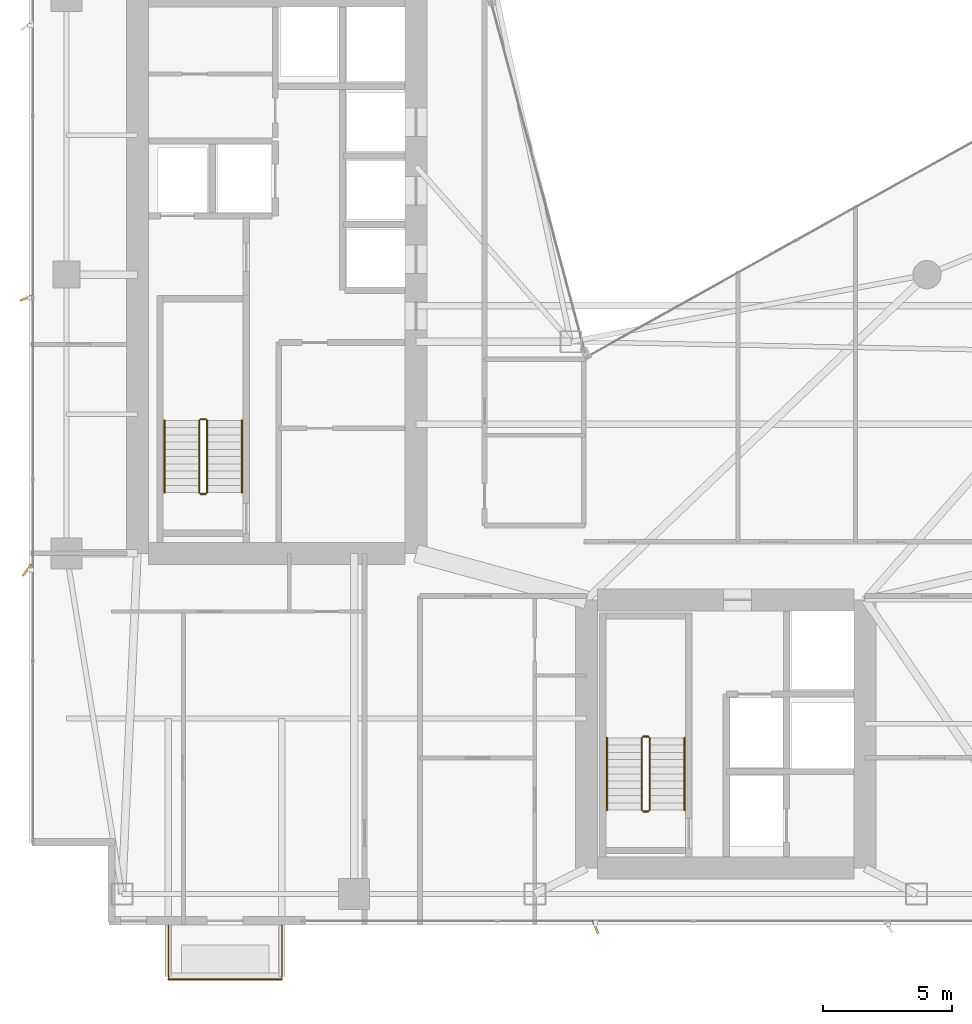
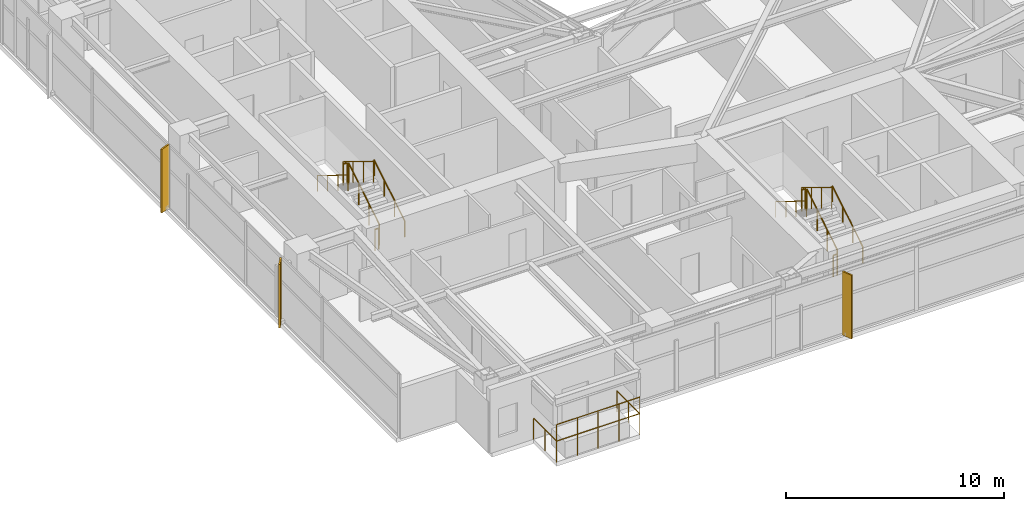
# One storey, part 27 of 28: 14 railings, 3 shading devices.
"""IFC4 building model written with IfcOpenShell, lengths in metres."""

import ifcopenshell
import ifcopenshell.guid

model = None  # the IFC model being written
_history = None  # IfcOwnerHistory: only IFC2X3 demands one
_inside = {}  # id of a spatial element -> (the spatial element, [elements in it])
_under = {}  # id of a project, library or spatial element -> (it, [spatial elements below it])
_declared = {}  # id of a project -> (the project, [libraries it declares])
_typed = {}  # id of a type object -> (the type object, [elements of that type])
_made_of = {}  # id of a material, layer set ... -> (it, [elements and type objects made of it])


def new_model(schema):
    """Start an empty IFC model of exactly this schema.

    Asked for "IFC4X3", IfcOpenShell would pick the latest addendum, in which some entities
    have other attributes; the version numbers below select the first issue.
    IFC2X3 requires an IfcOwnerHistory on every rooted entity: one is made here for all.
    """
    global model, _history
    if schema == "IFC4X3":
        model = ifcopenshell.file(schema_version=(4, 3, 0, 0))
    else:
        model = ifcopenshell.file(schema=schema)
    _inside.clear()
    _under.clear()
    _declared.clear()
    _typed.clear()
    _made_of.clear()
    _history = None
    if model.schema == "IFC2X3":
        org = make("IfcOrganization", Name="unknown")
        user = make(
            "IfcPersonAndOrganization",
            ThePerson=make("IfcPerson", FamilyName="unknown"),
            TheOrganization=org,
        )
        app = make(
            "IfcApplication",
            ApplicationDeveloper=org,
            Version="unknown",
            ApplicationFullName="unknown",
            ApplicationIdentifier="unknown",
        )
        _history = make(
            "IfcOwnerHistory",
            OwningUser=user,
            OwningApplication=app,
            ChangeAction="ADDED",
            CreationDate=0,
        )
    return model


def make(cls, **values):
    """One entity of the class cls with the attributes given. An attribute that is None is left unset."""
    return model.create_entity(
        cls, **{name: value for name, value in values.items() if value is not None}
    )


def rooted(cls, **values):
    """An entity with a GlobalId (a new one), such as an element, a storey or a relation."""
    return make(cls, GlobalId=ifcopenshell.guid.new(), OwnerHistory=_history, **values)


def si_unit(unit_type, name, prefix=None):
    """IfcSIUnit, for example si_unit("LENGTHUNIT", "METRE", prefix="MILLI")."""
    return make("IfcSIUnit", UnitType=unit_type, Prefix=prefix, Name=name)


def assignment(units):
    """IfcUnitAssignment: the units of a project."""
    return None if units is None else make("IfcUnitAssignment", Units=units)


def point(xyz):
    """IfcCartesianPoint."""
    return None if xyz is None else make("IfcCartesianPoint", Coordinates=xyz)


def direction(xyz):
    """IfcDirection."""
    return None if xyz is None else make("IfcDirection", DirectionRatios=xyz)


def frame(location, z_axis=None, x_axis=None):
    """IfcAxis2Placement3D, a coordinate frame: its origin and axes. An axis left out is left unset."""
    return make(
        "IfcAxis2Placement3D",
        Location=point(location),
        Axis=direction(z_axis),
        RefDirection=direction(x_axis),
    )


def frame_2d(location, x_axis=None):
    """IfcAxis2Placement2D, a coordinate frame in the plane: its origin and x axis."""
    return make(
        "IfcAxis2Placement2D", Location=point(location), RefDirection=direction(x_axis)
    )


def origin():
    """The frame at (0, 0, 0) with its axes left unset."""
    return frame((0.0, 0.0, 0.0))


def origin_2d():
    """The frame at (0, 0) in the plane with its x axis left unset."""
    return frame_2d((0.0, 0.0))


def place(relative_to, where):
    """IfcLocalPlacement: puts the frame where relative to a parent placement (None: the world)."""
    return make(
        "IfcLocalPlacement", PlacementRelTo=relative_to, RelativePlacement=where
    )


def context(
    kind, dimensions, precision=None, world=None, true_north=None, identifier=None
):
    """IfcGeometricRepresentationContext, for example the 3D "Model" context."""
    return make(
        "IfcGeometricRepresentationContext",
        ContextIdentifier=identifier,
        ContextType=kind,
        CoordinateSpaceDimension=dimensions,
        Precision=precision,
        WorldCoordinateSystem=world,
        TrueNorth=true_north,
    )


def subcontext(parent, identifier, kind, view, scale=None):
    """IfcGeometricRepresentationSubContext, for example "Body" below "Model"."""
    return make(
        "IfcGeometricRepresentationSubContext",
        ContextIdentifier=identifier,
        ContextType=kind,
        ParentContext=parent,
        TargetScale=scale,
        TargetView=view,
    )


def project(units=None, contexts=None):
    """IfcProject with its units and contexts."""
    return rooted(
        "IfcProject",
        Name="project",
        RepresentationContexts=contexts,
        UnitsInContext=assignment(units),
    )


def spatial(cls, under=None, at=None, **own):
    """A site, building, storey or space (cls), placed at a placement, below another one or the project."""
    s = rooted(cls, ObjectPlacement=at, **own)
    if under is not None:
        _under.setdefault(under.id(), (under, []))[1].append(s)
    return s


def profile(cls, at=None, kind="AREA", **sizes):
    """A parametric profile (cls). Its sizes go by their IFC names, for example OverallWidth=200.0."""
    return make(cls, ProfileType=kind, Position=at, **sizes)


def rectangle(**sizes):
    """IfcRectangleProfileDef."""
    return profile("IfcRectangleProfileDef", **sizes)


def circle(**sizes):
    """IfcCircleProfileDef."""
    return profile("IfcCircleProfileDef", **sizes)


def extrude(swept, where, along, depth):
    """IfcExtrudedAreaSolid: the profile swept, set in the frame where, extruded along a direction by depth."""
    return make(
        "IfcExtrudedAreaSolid",
        SweptArea=swept,
        Position=where,
        ExtrudedDirection=direction(along),
        Depth=depth,
    )


def shape(context_of_items, identifier, shape_type, items):
    """IfcShapeRepresentation: the items that make up one representation, for example the "Body"."""
    return make(
        "IfcShapeRepresentation",
        ContextOfItems=context_of_items,
        RepresentationIdentifier=identifier,
        RepresentationType=shape_type,
        Items=items,
    )


def material(Name=None, Category=None):
    """IfcMaterial."""
    return make("IfcMaterial", Name=Name, Category=Category)


def made_of(thing, what):
    """Note that an element or type object is made of a material, layer set ...; save() writes the relation."""
    if what is not None:
        _made_of.setdefault(what.id(), (what, []))[1].append(thing)
    return thing


def type_object(cls, material=None, **own):
    """A type object (cls), such as IfcWallType, which elements share."""
    return made_of(rooted(cls, **own), material)


def element(
    cls,
    number,
    at=None,
    inside=None,
    cuts=None,
    type_object=None,
    material=None,
    context=None,
    identifier="Body",
    shape_type=None,
    held_by="IfcProductDefinitionShape",
    body=None,
    shapes=None,
    **own,
):
    """One element of the class cls, such as IfcWall. Its Tag is "e" and its number.

    at: its placement. inside: the storey or other place that contains it. cuts: it is an
    opening in that element (IfcRelVoidsElement). A single representation is given by context,
    identifier, shape_type and body (its items); several are given by shapes. held_by: the class
    of the entity that holds the representations. save() writes the other relations.
    """
    e = rooted(cls, Tag="e%d" % number, ObjectPlacement=at, **own)
    if body is not None:
        shapes = [shape(context, identifier, shape_type, body)]
    if shapes is not None:
        e.Representation = make(held_by, Representations=shapes)
    if inside is not None:
        _inside.setdefault(inside.id(), (inside, []))[1].append(e)
    if cuts is not None:
        rooted(
            "IfcRelVoidsElement", RelatingBuildingElement=cuts, RelatedOpeningElement=e
        )
    if type_object is not None:
        _typed.setdefault(type_object.id(), (type_object, []))[1].append(e)
    return made_of(e, material)


def aggregate(whole, parts):
    """IfcRelAggregates: a whole, such as a stair, and the parts it consists of."""
    return rooted("IfcRelAggregates", RelatingObject=whole, RelatedObjects=parts)


def save(model, path):
    """Write the relations noted so far, then the file.

    IfcRelAggregates (storeys below a building ...), IfcRelContainedInSpatialStructure (elements
    in a storey), IfcRelDefinesByType, IfcRelAssociatesMaterial and IfcRelDeclares: one each for
    every whole, place, type object, material and project.
    """
    for whole, parts in _under.values():
        aggregate(whole, parts)
    for where, things in _inside.values():
        rooted(
            "IfcRelContainedInSpatialStructure",
            RelatedElements=things,
            RelatingStructure=where,
        )
    for kind, things in _typed.values():
        rooted("IfcRelDefinesByType", RelatedObjects=things, RelatingType=kind)
    for what, things in _made_of.values():
        rooted("IfcRelAssociatesMaterial", RelatedObjects=things, RelatingMaterial=what)
    for by, libraries in _declared.values():
        rooted("IfcRelDeclares", RelatingContext=by, RelatedDefinitions=libraries)
    model.write(path)


model = new_model("IFC4")

# Units and contexts
model_context = context("Model", 3, precision=1e-05, world=origin(), true_north=direction((0.0, 1.0)))
body_context = subcontext(model_context, "Body", "Model", "MODEL_VIEW")
ifc_project = project(units=[si_unit("LENGTHUNIT", "METRE"), si_unit("AREAUNIT", "SQUARE_METRE"), si_unit("VOLUMEUNIT", "CUBIC_METRE"), si_unit("PLANEANGLEUNIT", "RADIAN"), si_unit("MASSUNIT", "GRAM", prefix="KILO")], contexts=[model_context])

# Site, building, storey
site_placement = place(None, origin())
site = spatial("IfcSite", under=ifc_project, at=site_placement, CompositionType="ELEMENT")
building_placement = place(site_placement, origin())
building = spatial("IfcBuilding", under=site, at=building_placement, Name="Calvorn Quay Hotel", CompositionType="ELEMENT")
storey_placement = place(building_placement, frame((0.0, 0.0, 112.60009765625)))
storey = spatial("IfcBuildingStorey", under=building, at=storey_placement, Name="L27", CompositionType="ELEMENT", Elevation=112.60009765625)

# Railings
ifc_material_1 = material(Name="Pale Anodised Aluminium and Laminated Glass", Category="aluminium")
railing_type_1 = type_object("IfcRailingType", Name="RLG-BALUSTRADE-1200", PredefinedType="BALUSTRADE", material=ifc_material_1)
railing_1_placement = place(storey_placement, frame((5.39990234375, 2.389892578125, 0.0)))
element("IfcRailing", 1, at=railing_1_placement, inside=storey, type_object=railing_type_1, Name="Tree Balcony Perimeter Balustrade L27-BALC-S", PredefinedType="BALUSTRADE", context=body_context, shape_type="SweptSolid", body=[
    extrude(circle(Radius=0.02392578125, at=origin_2d()), frame((0.0, 0.0, 1.17578125), z_axis=(0.0, -1.0, 0.0), x_axis=(1.0, 0.0, 0.0)), (0.0, 0.0, 1.0), 2.099853515625),
    extrude(circle(Radius=0.02392578125, at=origin_2d()), frame((0.0, -2.099853515625, 1.17578125), z_axis=(1.0, 0.0, 0.0), x_axis=(0.0, 1.0, 0.0)), (0.0, 0.0, 1.0), 4.400146484375),
    extrude(circle(Radius=0.02392578125, at=origin_2d()), frame((4.400146484375, -2.099853515625, 1.17578125), z_axis=(0.0, 1.0, 0.0), x_axis=(-1.0, 0.0, 0.0)), (0.0, 0.0, 1.0), 2.099853515625),
    extrude(circle(Radius=0.02099609375, at=origin_2d()), origin(), (0.0, 0.0, 1.0), 1.15185546875),
    extrude(circle(Radius=0.02099609375, at=origin_2d()), frame((0.0, -1.0498046875, 0.0)), (0.0, 0.0, 1.0), 1.15185546875),
    extrude(circle(Radius=0.02099609375, at=origin_2d()), frame((0.0, -2.099853515625, 0.0)), (0.0, 0.0, 1.0), 1.15185546875),
    extrude(circle(Radius=0.02099609375, at=origin_2d()), frame((1.10009765625, -2.099853515625, 0.0)), (0.0, 0.0, 1.0), 1.15185546875),
    extrude(circle(Radius=0.02099609375, at=origin_2d()), frame((2.2001953125, -2.099853515625, 0.0)), (0.0, 0.0, 1.0), 1.15185546875),
    extrude(circle(Radius=0.02099609375, at=origin_2d()), frame((3.300048828125, -2.099853515625, 0.0)), (0.0, 0.0, 1.0), 1.15185546875),
    extrude(circle(Radius=0.02099609375, at=origin_2d()), frame((4.400146484375, -2.099853515625, 0.0)), (0.0, 0.0, 1.0), 1.15185546875),
    extrude(circle(Radius=0.02099609375, at=origin_2d()), frame((4.400146484375, -1.0498046875, 0.0)), (0.0, 0.0, 1.0), 1.15185546875),
    extrude(circle(Radius=0.02099609375, at=origin_2d()), frame((4.400146484375, 0.0, 0.0)), (0.0, 0.0, 1.0), 1.15185546875),
])
railing_2_placement = place(storey_placement, frame((5.39990234375, 0.2900390625, 0.89990234375)))
element("IfcRailing", 2, at=railing_2_placement, inside=storey, type_object=railing_type_1, Name="Planter Kerb High Safety Screen L27-BALC-S", PredefinedType="BALUSTRADE", context=body_context, shape_type="SweptSolid", body=[
    extrude(circle(Radius=0.02392578125, at=origin_2d()), frame((0.0, 0.0, 1.19580078125), z_axis=(1.0, 0.0, 0.0), x_axis=(0.0, 1.0, 0.0)), (0.0, 0.0, 1.0), 4.400146484375),
    extrude(circle(Radius=0.02099609375, at=origin_2d()), origin(), (0.0, 0.0, 1.0), 1.171875),
    extrude(circle(Radius=0.02099609375, at=origin_2d()), frame((1.10009765625, 0.0, 0.0)), (0.0, 0.0, 1.0), 1.171875),
    extrude(circle(Radius=0.02099609375, at=origin_2d()), frame((2.2001953125, 0.0, 0.0)), (0.0, 0.0, 1.0), 1.171875),
    extrude(circle(Radius=0.02099609375, at=origin_2d()), frame((3.300048828125, 0.0, 0.0)), (0.0, 0.0, 1.0), 1.171875),
    extrude(circle(Radius=0.02099609375, at=origin_2d()), frame((4.400146484375, 0.0, 0.0)), (0.0, 0.0, 1.0), 1.171875),
])
ifc_material_2 = material(Name="Brushed Stainless Steel Handrail", Category="steel")
railing_type_2 = type_object("IfcRailingType", Name="RLG-HANDRAIL-900", PredefinedType="HANDRAIL", material=ifc_material_2)
railing_3_placement = place(storey_placement, frame((8.25, 19.14990234375, 0.172607421875)))
element("IfcRailing", 3, at=railing_3_placement, inside=storey, type_object=railing_type_2, Name="L27 ST-W stair handrail 1", PredefinedType="HANDRAIL", context=body_context, shape_type="SweptSolid", body=[
    extrude(circle(Radius=0.02392578125, at=origin_2d()), frame((0.0, 0.0, 0.8759765625), z_axis=(0.0, 0.851089632645, 0.525020415988), x_axis=(-1.0, 0.0, 0.0)), (0.0, 0.0, 1.0), 3.2900390625),
    extrude(circle(Radius=0.02099609375, at=origin_2d()), origin(), (0.0, 0.0, 1.0), 0.851806640625),
    extrude(circle(Radius=0.02099609375, at=origin_2d()), frame((0.0, 0.933349609375, 0.57568359375)), (0.0, 0.0, 1.0), 0.851806640625),
    extrude(circle(Radius=0.02099609375, at=origin_2d()), frame((0.0, 1.86669921875, 1.151611328125)), (0.0, 0.0, 1.0), 0.851806640625),
    extrude(circle(Radius=0.02099609375, at=origin_2d()), frame((0.0, 2.800048828125, 1.727294921875)), (0.0, 0.0, 1.0), 0.851806640625),
])
railing_4_placement = place(storey_placement, frame((5.25, 21.949951171875, 2.072509765625)))
element("IfcRailing", 4, at=railing_4_placement, inside=storey, type_object=railing_type_2, Name="L27 ST-W stair handrail 2", PredefinedType="HANDRAIL", context=body_context, shape_type="SweptSolid", body=[
    extrude(circle(Radius=0.02392578125, at=origin_2d()), frame((0.0, 0.0, 0.8759765625), z_axis=(0.0, -0.851089632645, 0.525020415988), x_axis=(1.0, 0.0, 0.0)), (0.0, 0.0, 1.0), 3.2900390625),
    extrude(circle(Radius=0.02099609375, at=origin_2d()), origin(), (0.0, 0.0, 1.0), 0.851806640625),
    extrude(circle(Radius=0.02099609375, at=origin_2d()), frame((0.0, -0.933349609375, 0.57568359375)), (0.0, 0.0, 1.0), 0.851806640625),
    extrude(circle(Radius=0.02099609375, at=origin_2d()), frame((0.0, -1.86669921875, 1.151611328125)), (0.0, 0.0, 1.0), 0.851806640625),
    extrude(circle(Radius=0.02099609375, at=origin_2d()), frame((0.0, -2.800048828125, 1.727294921875)), (0.0, 0.0, 1.0), 0.851806640625),
])
railing_5_placement = place(storey_placement, frame((25.39990234375, 6.85009765625, 0.172607421875)))
element("IfcRailing", 5, at=railing_5_placement, inside=storey, type_object=railing_type_2, Name="L27 ST-E stair handrail 1", PredefinedType="HANDRAIL", context=body_context, shape_type="SweptSolid", body=[
    extrude(circle(Radius=0.02392578125, at=origin_2d()), frame((0.0, 0.0, 0.8759765625), z_axis=(0.0, 0.851069175582, 0.525053576669), x_axis=(-1.0, 0.0, 0.0)), (0.0, 0.0, 1.0), 3.289794921875),
    extrude(circle(Radius=0.02099609375, at=origin_2d()), origin(), (0.0, 0.0, 1.0), 0.851806640625),
    extrude(circle(Radius=0.02099609375, at=origin_2d()), frame((0.0, 0.933349609375, 0.57568359375)), (0.0, 0.0, 1.0), 0.851806640625),
    extrude(circle(Radius=0.02099609375, at=origin_2d()), frame((0.0, 1.866455078125, 1.151611328125)), (0.0, 0.0, 1.0), 0.851806640625),
    extrude(circle(Radius=0.02099609375, at=origin_2d()), frame((0.0, 2.7998046875, 1.727294921875)), (0.0, 0.0, 1.0), 0.851806640625),
])
railing_6_placement = place(storey_placement, frame((22.39990234375, 9.64990234375, 2.072509765625)))
element("IfcRailing", 6, at=railing_6_placement, inside=storey, type_object=railing_type_2, Name="L27 ST-E stair handrail 2", PredefinedType="HANDRAIL", context=body_context, shape_type="SweptSolid", body=[
    extrude(circle(Radius=0.02392578125, at=origin_2d()), frame((0.0, 0.0, 0.8759765625), z_axis=(0.0, -0.851069175582, 0.525053576669), x_axis=(1.0, 0.0, 0.0)), (0.0, 0.0, 1.0), 3.289794921875),
    extrude(circle(Radius=0.02099609375, at=origin_2d()), origin(), (0.0, 0.0, 1.0), 0.851806640625),
    extrude(circle(Radius=0.02099609375, at=origin_2d()), frame((0.0, -0.933349609375, 0.57568359375)), (0.0, 0.0, 1.0), 0.851806640625),
    extrude(circle(Radius=0.02099609375, at=origin_2d()), frame((0.0, -1.866455078125, 1.151611328125)), (0.0, 0.0, 1.0), 0.851806640625),
    extrude(circle(Radius=0.02099609375, at=origin_2d()), frame((0.0, -2.7998046875, 1.727294921875)), (0.0, 0.0, 1.0), 0.851806640625),
])
ifc_material_3 = material(Name="Painted Galvanised Steel Balustrade", Category="steel")
railing_type_3 = type_object("IfcRailingType", Name="RLG-STAIR-GUARD-1120", PredefinedType="GUARDRAIL", material=ifc_material_3)
railing_7_placement = place(storey_placement, frame((6.89990234375, 19.14990234375, 0.172607421875)))
element("IfcRailing", 7, at=railing_7_placement, inside=storey, type_object=railing_type_3, Name="L27 ST-W stair guard 1", PredefinedType="GUARDRAIL", context=body_context, shape_type="SweptSolid", body=[
    extrude(circle(Radius=0.02392578125, at=origin_2d()), frame((0.0, 0.0, 1.17578125), z_axis=(0.0, 0.851089632645, 0.525020415988), x_axis=(-1.0, 0.0, 0.0)), (0.0, 0.0, 1.0), 3.2900390625),
    extrude(circle(Radius=0.02099609375, at=origin_2d()), origin(), (0.0, 0.0, 1.0), 1.15185546875),
    extrude(circle(Radius=0.02099609375, at=origin_2d()), frame((0.0, 0.933349609375, 0.57568359375)), (0.0, 0.0, 1.0), 1.15185546875),
    extrude(circle(Radius=0.02099609375, at=origin_2d()), frame((0.0, 1.86669921875, 1.151611328125)), (0.0, 0.0, 1.0), 1.15185546875),
    extrude(circle(Radius=0.02099609375, at=origin_2d()), frame((0.0, 2.800048828125, 1.727294921875)), (0.0, 0.0, 1.0), 1.15185546875),
])
railing_8_placement = place(storey_placement, frame((6.85009765625, 22.0, 1.89990234375)))
element("IfcRailing", 8, at=railing_8_placement, inside=storey, type_object=railing_type_3, Name="L27 ST-W stair guard 2", PredefinedType="GUARDRAIL", context=body_context, shape_type="SweptSolid", body=[
    extrude(circle(Radius=0.02392578125, at=origin_2d()), frame((0.0, 0.0, 1.17578125), z_axis=(-1.0, 0.0, 0.0), x_axis=(0.0, -1.0, 0.0)), (0.0, 0.0, 1.0), 0.2001953125),
    extrude(circle(Radius=0.02099609375, at=origin_2d()), origin(), (0.0, 0.0, 1.0), 1.15185546875),
    extrude(circle(Radius=0.02099609375, at=origin_2d()), frame((-0.2001953125, 0.0, 0.0)), (0.0, 0.0, 1.0), 1.15185546875),
])
railing_9_placement = place(storey_placement, frame((6.60009765625, 21.949951171875, 2.072509765625)))
element("IfcRailing", 9, at=railing_9_placement, inside=storey, type_object=railing_type_3, Name="L27 ST-W stair guard 3", PredefinedType="GUARDRAIL", context=body_context, shape_type="SweptSolid", body=[
    extrude(circle(Radius=0.02392578125, at=origin_2d()), frame((0.0, 0.0, 1.17578125), z_axis=(0.0, -0.851089632645, 0.525020415988), x_axis=(1.0, 0.0, 0.0)), (0.0, 0.0, 1.0), 3.2900390625),
    extrude(circle(Radius=0.02099609375, at=origin_2d()), origin(), (0.0, 0.0, 1.0), 1.15185546875),
    extrude(circle(Radius=0.02099609375, at=origin_2d()), frame((0.0, -0.933349609375, 0.57568359375)), (0.0, 0.0, 1.0), 1.15185546875),
    extrude(circle(Radius=0.02099609375, at=origin_2d()), frame((0.0, -1.86669921875, 1.151611328125)), (0.0, 0.0, 1.0), 1.15185546875),
    extrude(circle(Radius=0.02099609375, at=origin_2d()), frame((0.0, -2.800048828125, 1.727294921875)), (0.0, 0.0, 1.0), 1.15185546875),
])
railing_10_placement = place(storey_placement, frame((6.85009765625, 19.10009765625, 0.0)))
element("IfcRailing", 10, at=railing_10_placement, inside=storey, type_object=railing_type_3, Name="L27 ST-W stair guard 4", PredefinedType="GUARDRAIL", context=body_context, shape_type="SweptSolid", body=[
    extrude(circle(Radius=0.02392578125, at=origin_2d()), frame((0.0, 0.0, 1.17578125), z_axis=(-1.0, 0.0, 0.0), x_axis=(0.0, -1.0, 0.0)), (0.0, 0.0, 1.0), 0.2001953125),
    extrude(circle(Radius=0.02099609375, at=origin_2d()), origin(), (0.0, 0.0, 1.0), 1.15185546875),
    extrude(circle(Radius=0.02099609375, at=origin_2d()), frame((-0.2001953125, 0.0, 0.0)), (0.0, 0.0, 1.0), 1.15185546875),
])
railing_11_placement = place(storey_placement, frame((24.050048828125, 6.85009765625, 0.172607421875)))
element("IfcRailing", 11, at=railing_11_placement, inside=storey, type_object=railing_type_3, Name="L27 ST-E stair guard 1", PredefinedType="GUARDRAIL", context=body_context, shape_type="SweptSolid", body=[
    extrude(circle(Radius=0.02392578125, at=origin_2d()), frame((0.0, 0.0, 1.17578125), z_axis=(0.0, 0.851069175582, 0.525053576669), x_axis=(-1.0, 0.0, 0.0)), (0.0, 0.0, 1.0), 3.289794921875),
    extrude(circle(Radius=0.02099609375, at=origin_2d()), origin(), (0.0, 0.0, 1.0), 1.15185546875),
    extrude(circle(Radius=0.02099609375, at=origin_2d()), frame((0.0, 0.933349609375, 0.57568359375)), (0.0, 0.0, 1.0), 1.15185546875),
    extrude(circle(Radius=0.02099609375, at=origin_2d()), frame((0.0, 1.866455078125, 1.151611328125)), (0.0, 0.0, 1.0), 1.15185546875),
    extrude(circle(Radius=0.02099609375, at=origin_2d()), frame((0.0, 2.7998046875, 1.727294921875)), (0.0, 0.0, 1.0), 1.15185546875),
])
railing_12_placement = place(storey_placement, frame((24.0, 9.699951171875, 1.89990234375)))
element("IfcRailing", 12, at=railing_12_placement, inside=storey, type_object=railing_type_3, Name="L27 ST-E stair guard 2", PredefinedType="GUARDRAIL", context=body_context, shape_type="SweptSolid", body=[
    extrude(circle(Radius=0.02392578125, at=origin_2d()), frame((0.0, 0.0, 1.17578125), z_axis=(-1.0, 0.0, 0.0), x_axis=(0.0, -1.0, 0.0)), (0.0, 0.0, 1.0), 0.199951171875),
    extrude(circle(Radius=0.02099609375, at=origin_2d()), origin(), (0.0, 0.0, 1.0), 1.15185546875),
    extrude(circle(Radius=0.02099609375, at=origin_2d()), frame((-0.199951171875, 0.0, 0.0)), (0.0, 0.0, 1.0), 1.15185546875),
])
railing_13_placement = place(storey_placement, frame((23.75, 9.64990234375, 2.072509765625)))
element("IfcRailing", 13, at=railing_13_placement, inside=storey, type_object=railing_type_3, Name="L27 ST-E stair guard 3", PredefinedType="GUARDRAIL", context=body_context, shape_type="SweptSolid", body=[
    extrude(circle(Radius=0.02392578125, at=origin_2d()), frame((0.0, 0.0, 1.17578125), z_axis=(0.0, -0.851069175582, 0.525053576669), x_axis=(1.0, 0.0, 0.0)), (0.0, 0.0, 1.0), 3.289794921875),
    extrude(circle(Radius=0.02099609375, at=origin_2d()), origin(), (0.0, 0.0, 1.0), 1.15185546875),
    extrude(circle(Radius=0.02099609375, at=origin_2d()), frame((0.0, -0.933349609375, 0.57568359375)), (0.0, 0.0, 1.0), 1.15185546875),
    extrude(circle(Radius=0.02099609375, at=origin_2d()), frame((0.0, -1.866455078125, 1.151611328125)), (0.0, 0.0, 1.0), 1.15185546875),
    extrude(circle(Radius=0.02099609375, at=origin_2d()), frame((0.0, -2.7998046875, 1.727294921875)), (0.0, 0.0, 1.0), 1.15185546875),
])
railing_14_placement = place(storey_placement, frame((24.0, 6.800048828125, 0.0)))
element("IfcRailing", 14, at=railing_14_placement, inside=storey, type_object=railing_type_3, Name="L27 ST-E stair guard 4", PredefinedType="GUARDRAIL", context=body_context, shape_type="SweptSolid", body=[
    extrude(circle(Radius=0.02392578125, at=origin_2d()), frame((0.0, 0.0, 1.17578125), z_axis=(-1.0, 0.0, 0.0), x_axis=(0.0, -1.0, 0.0)), (0.0, 0.0, 1.0), 0.199951171875),
    extrude(circle(Radius=0.02099609375, at=origin_2d()), origin(), (0.0, 0.0, 1.0), 1.15185546875),
    extrude(circle(Radius=0.02099609375, at=origin_2d()), frame((-0.199951171875, 0.0, 0.0)), (0.0, 0.0, 1.0), 1.15185546875),
])

# Shading devices
ifc_material_4 = material(Name="Champagne Bronze Anodised Aluminium 6063-T6", Category="aluminium")
shading_device_type_1 = type_object("IfcShadingDeviceType", Name="SHD-FIN-A1", PredefinedType="USERDEFINED", material=ifc_material_4)
for number, where, z_axis, x_axis, name in (
    (15, (-0.080078125, 26.699951171875, -0.000244140625), (0.0, 0.0, 1.0), (0.927183854567, 0.374606593416, 0.0), "Diagonal Sun-Shading Fin L27-W02"),
    (16, (21.949951171875, 2.320068359375, -0.000244140625), (0.0, 0.0, 1.0), (-0.374606593416, 0.927183854567, 0.0), "Diagonal Sun-Shading Fin L27-S01"),
):
    element("IfcShadingDevice", number, at=place(storey_placement, frame(where, z_axis=z_axis, x_axis=x_axis)), inside=storey, type_object=shading_device_type_1, Name=name, ObjectType="FIN", PredefinedType="USERDEFINED", context=body_context, shape_type="SweptSolid", body=[
        extrude(rectangle(XDim=0.550048828125, YDim=0.080078125, at=origin_2d()), origin(), (0.0, 0.0, 1.0), 3.56005859375),
    ])
ifc_material_5 = material(Name="Champagne Bronze Anodised Aluminium 6063-T6", Category="aluminium")
shading_device_type_2 = type_object("IfcShadingDeviceType", Name="SHD-FIN-A3", PredefinedType="USERDEFINED", material=ifc_material_5)
shading_device_placement = place(storey_placement, frame((-0.080078125, 16.14990234375, -0.000244140625), z_axis=(0.0, 0.0, 1.0), x_axis=(0.587785252292, 0.809016994375, 0.0)))
element("IfcShadingDevice", 17, at=shading_device_placement, inside=storey, type_object=shading_device_type_2, Name="Diagonal Sun-Shading Fin L27-W01", ObjectType="FIN", PredefinedType="USERDEFINED", context=body_context, shape_type="SweptSolid", body=[
    extrude(rectangle(XDim=0.550048828125, YDim=0.080078125, at=origin_2d()), origin(), (0.0, 0.0, 1.0), 3.56005859375),
])

save(model, "model.ifc")
